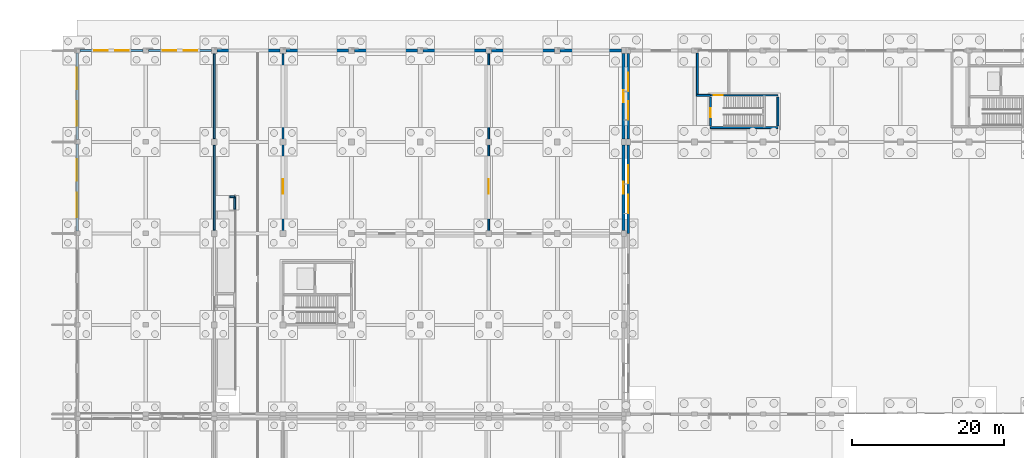
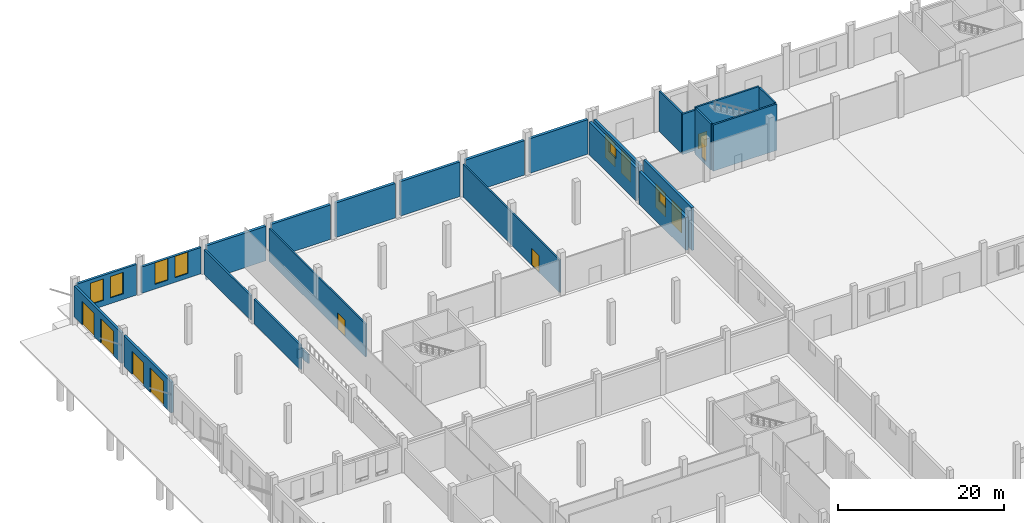
# One storey, part 72 of 99: 26 walls, 10 windows, 8 doors, 18 openings.
"""IFC4 building model written with IfcOpenShell, lengths in metres."""

from ifc_helpers import new_model, si_unit, direction, frame, frame_2d, origin, place, context, subcontext, project, spatial, rectangle, extrude, material, layer, layer_set, type_object, element, fill, save


model = new_model("IFC4")

# Units and contexts
model_context = context("Model", 3, precision=1e-05, world=origin(), true_north=direction((0.0, 1.0)))
body_context = subcontext(model_context, "Body", "Model", "MODEL_VIEW")
ifc_project = project(units=[si_unit("LENGTHUNIT", "METRE"), si_unit("AREAUNIT", "SQUARE_METRE"), si_unit("VOLUMEUNIT", "CUBIC_METRE"), si_unit("PLANEANGLEUNIT", "RADIAN"), si_unit("MASSUNIT", "GRAM", prefix="KILO")], contexts=[model_context])

# Site, building, storey
site_placement = place(None, origin())
site = spatial("IfcSite", under=ifc_project, at=site_placement, CompositionType="ELEMENT")
building_placement = place(site_placement, origin())
building = spatial("IfcBuilding", under=site, at=building_placement, Name="Zacnel Wholesale Market", CompositionType="ELEMENT")
storey_placement = place(building_placement, origin())
storey = spatial("IfcBuildingStorey", under=building, at=storey_placement, Name="L01", CompositionType="ELEMENT", Elevation=0.0)

# Wall, opening, door
ifc_material_1 = material(Name="PIR insulated cold-store panel")
ifc_layer_1 = layer(ifc_material_1, 0.2099609375)
ifc_layer_set_1 = layer_set([ifc_layer_1], Name="PIR insulated cold-store panel")
wall_type_1 = type_object("IfcWallType", Name="WL-COLD-INT210", PredefinedType="STANDARD", material=ifc_layer_set_1)
wall_1_placement = place(storey_placement, frame((27.0, 120.300048828125, 0.0), z_axis=(0.0, 0.0, 1.0), x_axis=(0.0, 1.0, 0.0)))
wall_1 = element("IfcWall", 1, at=wall_1_placement, inside=storey, type_object=wall_type_1, Name="Interior partition L01-0011", PredefinedType="STANDARD", context=body_context, shape_type="SweptSolid", body=[
    extrude(rectangle(XDim=23.25, YDim=0.2099609375, at=frame_2d((11.625, 0.0))), origin(), (0.0, 0.0, 1.0), 4.830078125),
])
opening_1_placement = place(wall_1_placement, frame((4.919921875, 0.0, 0.0)))
opening_1 = element("IfcOpeningElement", 2, at=opening_1_placement, cuts=wall_1, Name="Opening CD-03", PredefinedType="OPENING", context=body_context, shape_type="SweptSolid", body=[
    extrude(rectangle(XDim=1.860107421875, YDim=2.449951171875, at=frame_2d((0.93017578125, 1.22509765625))), frame((0.0, 0.114990234375, 0.0), z_axis=(0.0, -1.0, 0.0), x_axis=(1.0, 0.0, 0.0)), (0.0, 0.0, 1.0), 0.22998046875),
])
ifc_material_2 = material(Name="Galvanized steel", Category="steel")
door_type_1 = type_object("IfcDoorType", Name="DR-COLD-SLIDE-1860", OperationType="NOTDEFINED", PredefinedType="DOOR", material=ifc_material_2)
door_1_placement = place(opening_1_placement, origin())
door_1 = element("IfcDoor", 3, at=door_1_placement, inside=storey, type_object=door_type_1, Name="Interior door L01-0011", OperationType="SLIDING_TO_LEFT", OverallHeight=2.449951171875, OverallWidth=1.860107421875, PredefinedType="DOOR", context=body_context, shape_type="SweptSolid", body=[
    extrude(rectangle(XDim=1.860107421875, YDim=2.449951171875, at=frame_2d((0.93017578125, 1.22509765625))), frame((0.0, 0.02490234375, 0.0), z_axis=(0.0, -1.0, 0.0), x_axis=(1.0, 0.0, 0.0)), (0.0, 0.0, 1.0), 0.050048828125),
])
fill(opening_1, door_1)

wall_2_placement = place(storey_placement, frame((54.0, 120.300048828125, 0.0), z_axis=(0.0, 0.0, 1.0), x_axis=(0.0, 1.0, 0.0)))
wall_2 = element("IfcWall", 4, at=wall_2_placement, inside=storey, type_object=wall_type_1, Name="Interior partition L01-0023", PredefinedType="STANDARD", context=body_context, shape_type="SweptSolid", body=[
    extrude(rectangle(XDim=23.25, YDim=0.2099609375, at=frame_2d((11.625, 0.0))), origin(), (0.0, 0.0, 1.0), 4.830078125),
])
opening_2_placement = place(wall_2_placement, frame((4.919921875, 0.0, 0.0)))
opening_2 = element("IfcOpeningElement", 5, at=opening_2_placement, cuts=wall_2, Name="Opening CD-03", PredefinedType="OPENING", context=body_context, shape_type="SweptSolid", body=[
    extrude(rectangle(XDim=1.860107421875, YDim=2.449951171875, at=frame_2d((0.93017578125, 1.22509765625))), frame((0.0, 0.114990234375, 0.0), z_axis=(0.0, -1.0, 0.0), x_axis=(1.0, 0.0, 0.0)), (0.0, 0.0, 1.0), 0.22998046875),
])
door_2_placement = place(opening_2_placement, origin())
door_2 = element("IfcDoor", 6, at=door_2_placement, inside=storey, type_object=door_type_1, Name="Interior door L01-0019", OperationType="SLIDING_TO_LEFT", OverallHeight=2.449951171875, OverallWidth=1.860107421875, PredefinedType="DOOR", context=body_context, shape_type="SweptSolid", body=[
    extrude(rectangle(XDim=1.860107421875, YDim=2.449951171875, at=frame_2d((0.93017578125, 1.22509765625))), frame((0.0, 0.02490234375, 0.0), z_axis=(0.0, -1.0, 0.0), x_axis=(1.0, 0.0, 0.0)), (0.0, 0.0, 1.0), 0.050048828125),
])
fill(opening_2, door_2)

# Walls
ifc_material_3 = material(Name="Concrete C40/50", Category="concrete")
ifc_layer_2 = layer(ifc_material_3, 0.2548828125)
ifc_layer_set_2 = layer_set([ifc_layer_2], Name="Concrete C40/50")
wall_type_2 = type_object("IfcWallType", Name="WL-COMP-FW250", PredefinedType="STANDARD", material=ifc_layer_set_2)
for number, where, z_axis, x_axis, name in (
    (7, (18.0, 120.419921875, 1.22509765625), (0.0, 0.0, 1.0), (0.0, 1.0, 0.0), "EI-120 fire compartment barrier wall 13"),
    (8, (18.0, 132.419921875, 1.22509765625), (0.0, 0.0, 1.0), (0.0, 1.0, 0.0), "EI-120 fire compartment barrier wall 14"),
):
    element("IfcWall", number, at=place(storey_placement, frame(where, z_axis=z_axis, x_axis=x_axis)), inside=storey, type_object=wall_type_2, Name=name, PredefinedType="STANDARD", context=body_context, shape_type="SweptSolid", body=[
        extrude(rectangle(XDim=11.16015625, YDim=0.2548828125, at=frame_2d((5.580078125, 0.0))), origin(), (0.0, 0.0, 1.0), 3.60498046875),
    ])
wall_3_placement = place(storey_placement, frame((81.37255859375, 138.25, 0.0), z_axis=(0.0, 0.0, 1.0), x_axis=(0.0, 1.0, 0.0)))
element("IfcWall", 9, at=wall_3_placement, inside=storey, type_object=wall_type_2, Name="Exit passage ST-20 fire barrier wall 1", PredefinedType="STANDARD", context=body_context, shape_type="SweptSolid", body=[
    extrude(rectangle(XDim=5.39990234375, YDim=0.2548828125, at=frame_2d((2.699951171875, 0.0))), origin(), (0.0, 0.0, 1.0), 5.949951171875),
])
wall_4_placement = place(storey_placement, frame((81.2451171875, 138.12255859375, 0.0), z_axis=(0.0, 0.0, 1.0), x_axis=(1.0, 0.0, 0.0)))
element("IfcWall", 10, at=wall_4_placement, inside=storey, type_object=wall_type_2, Name="Exit passage ST-20 fire barrier wall 3", PredefinedType="STANDARD", context=body_context, shape_type="SweptSolid", body=[
    extrude(rectangle(XDim=1.829833984375, YDim=0.2548828125, at=frame_2d((0.9150390625, 0.0))), origin(), (0.0, 0.0, 1.0), 5.949951171875),
])
ifc_material_4 = material(Name="Concrete C40/50", Category="concrete")
ifc_layer_3 = layer(ifc_material_4, 0.25)
ifc_layer_set_3 = layer_set([ifc_layer_3], Name="Concrete C40/50")
wall_type_3 = type_object("IfcWallType", Name="WL-CORE-SW250", PredefinedType="SOLIDWALL", material=ifc_layer_set_3)
wall_5_placement = place(storey_placement, frame((83.074951171875, 133.875, -0.5), z_axis=(0.0, 0.0, 1.0), x_axis=(1.0, 0.0, 0.0)))
element("IfcWall", 11, at=wall_5_placement, inside=storey, type_object=wall_type_3, Name="Stair ST-20 south enclosure wall L01", PredefinedType="SOLIDWALL", context=body_context, shape_type="SweptSolid", body=[
    extrude(rectangle(XDim=8.85009765625, YDim=0.25, at=frame_2d((4.425048828125, 0.0))), origin(), (0.0, 0.0, 1.0), 6.800048828125),
])

# Wall, opening, door
wall_6_placement = place(storey_placement, frame((83.074951171875, 138.125, -0.5), z_axis=(0.0, 0.0, 1.0), x_axis=(1.0, 0.0, 0.0)))
wall_6 = element("IfcWall", 12, at=wall_6_placement, inside=storey, type_object=wall_type_3, Name="Stair ST-20 north enclosure wall L01", PredefinedType="SOLIDWALL", context=body_context, shape_type="SweptSolid", body=[
    extrude(rectangle(XDim=8.85009765625, YDim=0.25, at=frame_2d((4.425048828125, 0.0))), origin(), (0.0, 0.0, 1.0), 6.800048828125),
])
opening_3_placement = place(wall_6_placement, frame((0.425048828125, 0.0, 0.5)))
opening_3 = element("IfcOpeningElement", 13, at=opening_3_placement, cuts=wall_6, Name="Opening FD-01", PredefinedType="OPENING", context=body_context, shape_type="SweptSolid", body=[
    extrude(rectangle(XDim=1.199951171875, YDim=2.199951171875, at=frame_2d((0.60009765625, 1.10009765625))), frame((0.0, 0.135009765625, 0.0), z_axis=(0.0, -1.0, 0.0), x_axis=(1.0, 0.0, 0.0)), (0.0, 0.0, 1.0), 0.27001953125),
])
ifc_material_5 = material(Name="Galvanized steel", Category="steel")
door_type_2 = type_object("IfcDoorType", Name="DR-FIRE-STAIR-1200", OperationType="NOTDEFINED", PredefinedType="DOOR", material=ifc_material_5)
door_3_placement = place(opening_3_placement, origin())
door_3 = element("IfcDoor", 14, at=door_3_placement, inside=storey, type_object=door_type_2, Name="Stair ST-20 exit passage fire door L01", OperationType="SINGLE_SWING_LEFT", OverallHeight=2.199951171875, OverallWidth=1.199951171875, PredefinedType="DOOR", context=body_context, shape_type="SweptSolid", body=[
    extrude(rectangle(XDim=1.199951171875, YDim=2.199951171875, at=frame_2d((0.60009765625, 1.10009765625))), frame((0.0, 0.02490234375, 0.0), z_axis=(0.0, -1.0, 0.0), x_axis=(1.0, 0.0, 0.0)), (0.0, 0.0, 1.0), 0.050048828125),
])
fill(opening_3, door_3)

wall_7_placement = place(storey_placement, frame((83.074951171875, 134.125, -0.5), z_axis=(0.0, 0.0, 1.0), x_axis=(0.0, 1.0, 0.0)))
wall_7 = element("IfcWall", 15, at=wall_7_placement, inside=storey, type_object=wall_type_3, Name="Stair ST-20 west enclosure wall L01", PredefinedType="SOLIDWALL", context=body_context, shape_type="SweptSolid", body=[
    extrude(rectangle(XDim=3.75, YDim=0.25, at=frame_2d((1.875, 0.0))), origin(), (0.0, 0.0, 1.0), 6.800048828125),
])
opening_4_placement = place(wall_7_placement, frame((1.10009765625, 0.0, 0.5)))
opening_4 = element("IfcOpeningElement", 16, at=opening_4_placement, cuts=wall_7, Name="Opening FD-01", PredefinedType="OPENING", context=body_context, shape_type="SweptSolid", body=[
    extrude(rectangle(XDim=1.199951171875, YDim=2.199951171875, at=frame_2d((0.60009765625, 1.10009765625))), frame((0.0, 0.135009765625, 0.0), z_axis=(0.0, -1.0, 0.0), x_axis=(1.0, 0.0, 0.0)), (0.0, 0.0, 1.0), 0.27001953125),
])
door_4_placement = place(opening_4_placement, origin())
door_4 = element("IfcDoor", 17, at=door_4_placement, inside=storey, type_object=door_type_2, Name="Stair ST-20 fire door L01", OperationType="SINGLE_SWING_RIGHT", OverallHeight=2.199951171875, OverallWidth=1.199951171875, PredefinedType="DOOR", context=body_context, shape_type="SweptSolid", body=[
    extrude(rectangle(XDim=1.199951171875, YDim=2.199951171875, at=frame_2d((0.60009765625, 1.10009765625))), frame((0.0, 0.02490234375, 0.0), z_axis=(0.0, -1.0, 0.0), x_axis=(1.0, 0.0, 0.0)), (0.0, 0.0, 1.0), 0.050048828125),
])
fill(opening_4, door_4)

# Walls
wall_8_placement = place(storey_placement, frame((91.925048828125, 134.125, -0.5), z_axis=(0.0, 0.0, 1.0), x_axis=(0.0, 1.0, 0.0)))
element("IfcWall", 18, at=wall_8_placement, inside=storey, type_object=wall_type_3, Name="Stair ST-20 east enclosure wall L01", PredefinedType="SOLIDWALL", context=body_context, shape_type="SweptSolid", body=[
    extrude(rectangle(XDim=3.75, YDim=0.25, at=frame_2d((1.875, 0.0))), origin(), (0.0, 0.0, 1.0), 6.800048828125),
])
wall_9_placement = place(storey_placement, frame((20.64990234375, 123.14990234375, -0.5), z_axis=(0.0, 0.0, 1.0), x_axis=(0.0, 1.0, 0.0)))
element("IfcWall", 19, at=wall_9_placement, inside=storey, type_object=wall_type_3, Name="Accessible ramp RP-01 (RMP-DOCK-N) east plinth wall", PredefinedType="SOLIDWALL", context=body_context, shape_type="SweptSolid", body=[
    extrude(rectangle(XDim=1.650146484375, YDim=0.25, at=frame_2d((0.8251953125, 0.0))), origin(), (0.0, 0.0, 1.0), 1.324951171875),
])
wall_10_placement = place(storey_placement, frame((20.0, 124.800048828125, -0.5), z_axis=(0.0, 0.0, 1.0), x_axis=(1.0, 0.0, 0.0)))
element("IfcWall", 20, at=wall_10_placement, inside=storey, type_object=wall_type_3, Name="Accessible ramp RP-01 (RMP-DOCK-N) north plinth wall", PredefinedType="SOLIDWALL", context=body_context, shape_type="SweptSolid", body=[
    extrude(rectangle(XDim=0.699951171875, YDim=0.25, at=frame_2d((0.35009765625, 0.0))), origin(), (0.0, 0.0, 1.0), 1.324951171875),
])

# Wall, openings, windows
ifc_material_6 = material(Name="Precast concrete C40/50 (insulated sandwich panel)", Category="concrete")
ifc_layer_4 = layer(ifc_material_6, 0.320068359375)
ifc_layer_set_4 = layer_set([ifc_layer_4], Name="Precast concrete C40/50 (insulated sandwich panel)")
wall_type_4 = type_object("IfcWallType", Name="WL-EXT-COLD-320", PredefinedType="SOLIDWALL", material=ifc_layer_set_4)
wall_11_placement = place(storey_placement, frame((0.35009765625, 144.0, 1.22509765625), z_axis=(0.0, 0.0, 1.0), x_axis=(1.0, 0.0, 0.0)))
wall_11 = element("IfcWall", 21, at=wall_11_placement, inside=storey, type_object=wall_type_4, Name="Exterior wall L01-0016", PredefinedType="SOLIDWALL", context=body_context, shape_type="SweptSolid", body=[
    extrude(rectangle(XDim=8.2998046875, YDim=0.320068359375, at=frame_2d((4.14990234375, 0.0))), origin(), (0.0, 0.0, 1.0), 4.514892578125),
])
opening_5_placement = place(wall_11_placement, frame((1.866943359375, 0.0, 0.85009765625)))
opening_5 = element("IfcOpeningElement", 22, at=opening_5_placement, cuts=wall_11, Name="Opening W-03", PredefinedType="OPENING", context=body_context, shape_type="SweptSolid", body=[
    extrude(rectangle(XDim=1.800048828125, YDim=3.14990234375, at=frame_2d((0.89990234375, 1.574951171875))), frame((0.0, 0.169921875, 0.0), z_axis=(0.0, -1.0, 0.0), x_axis=(1.0, 0.0, 0.0)), (0.0, 0.0, 1.0), 0.340087890625),
])
opening_6_placement = place(wall_11_placement, frame((4.633056640625, 0.0, 0.85009765625)))
opening_6 = element("IfcOpeningElement", 23, at=opening_6_placement, cuts=wall_11, Name="Opening W-03", PredefinedType="OPENING", context=body_context, shape_type="SweptSolid", body=[
    extrude(rectangle(XDim=1.800048828125, YDim=3.14990234375, at=frame_2d((0.89990234375, 1.574951171875))), frame((0.0, 0.169921875, 0.0), z_axis=(0.0, -1.0, 0.0), x_axis=(1.0, 0.0, 0.0)), (0.0, 0.0, 1.0), 0.340087890625),
])
ifc_material_7 = material(Name="Laminated hurricane-impact low-E insulated glass", Category="glass")
window_type_1 = type_object("IfcWindowType", Name="WIN-DEC-1800X3150", PartitioningType="DOUBLE_PANEL_VERTICAL", PredefinedType="WINDOW", material=ifc_material_7)
window_1_placement = place(opening_5_placement, origin())
window_1 = element("IfcWindow", 24, at=window_1_placement, inside=storey, type_object=window_type_1, Name="Window L01-0015", OverallHeight=3.14990234375, OverallWidth=1.800048828125, PartitioningType="DOUBLE_PANEL_VERTICAL", PredefinedType="WINDOW", context=body_context, shape_type="SweptSolid", body=[
    extrude(rectangle(XDim=1.800048828125, YDim=3.14990234375, at=frame_2d((0.89990234375, 1.574951171875))), frame((0.0, 0.030029296875, 0.0), z_axis=(0.0, -1.0, 0.0), x_axis=(1.0, 0.0, 0.0)), (0.0, 0.0, 1.0), 0.06005859375),
])
fill(opening_5, window_1)
window_2_placement = place(opening_6_placement, origin())
window_2 = element("IfcWindow", 25, at=window_2_placement, inside=storey, type_object=window_type_1, Name="Window L01-0016", OverallHeight=3.14990234375, OverallWidth=1.800048828125, PartitioningType="DOUBLE_PANEL_VERTICAL", PredefinedType="WINDOW", context=body_context, shape_type="SweptSolid", body=[
    extrude(rectangle(XDim=1.800048828125, YDim=3.14990234375, at=frame_2d((0.89990234375, 1.574951171875))), frame((0.0, 0.030029296875, 0.0), z_axis=(0.0, -1.0, 0.0), x_axis=(1.0, 0.0, 0.0)), (0.0, 0.0, 1.0), 0.06005859375),
])
fill(opening_6, window_2)

wall_12_placement = place(storey_placement, frame((9.35009765625, 144.0, 1.22509765625), z_axis=(0.0, 0.0, 1.0), x_axis=(1.0, 0.0, 0.0)))
wall_12 = element("IfcWall", 26, at=wall_12_placement, inside=storey, type_object=wall_type_4, Name="Exterior wall L01-0017", PredefinedType="SOLIDWALL", context=body_context, shape_type="SweptSolid", body=[
    extrude(rectangle(XDim=8.27490234375, YDim=0.320068359375, at=frame_2d((4.137451171875, 0.0))), origin(), (0.0, 0.0, 1.0), 3.875),
])
opening_7_placement = place(wall_12_placement, frame((1.85791015625, 0.0, 0.68505859375)))
opening_7 = element("IfcOpeningElement", 27, at=opening_7_placement, cuts=wall_12, Name="Opening W-03", PredefinedType="OPENING", context=body_context, shape_type="SweptSolid", body=[
    extrude(rectangle(XDim=1.800048828125, YDim=3.14990234375, at=frame_2d((0.89990234375, 1.574951171875))), frame((0.0, 0.169921875, 0.0), z_axis=(0.0, -1.0, 0.0), x_axis=(1.0, 0.0, 0.0)), (0.0, 0.0, 1.0), 0.340087890625),
])
opening_8_placement = place(wall_12_placement, frame((4.616943359375, 0.0, 0.68505859375)))
opening_8 = element("IfcOpeningElement", 28, at=opening_8_placement, cuts=wall_12, Name="Opening W-03", PredefinedType="OPENING", context=body_context, shape_type="SweptSolid", body=[
    extrude(rectangle(XDim=1.800048828125, YDim=3.14990234375, at=frame_2d((0.89990234375, 1.574951171875))), frame((0.0, 0.169921875, 0.0), z_axis=(0.0, -1.0, 0.0), x_axis=(1.0, 0.0, 0.0)), (0.0, 0.0, 1.0), 0.340087890625),
])
window_3_placement = place(opening_7_placement, origin())
window_3 = element("IfcWindow", 29, at=window_3_placement, inside=storey, type_object=window_type_1, Name="Window L01-0017", OverallHeight=3.14990234375, OverallWidth=1.800048828125, PartitioningType="DOUBLE_PANEL_VERTICAL", PredefinedType="WINDOW", context=body_context, shape_type="SweptSolid", body=[
    extrude(rectangle(XDim=1.800048828125, YDim=3.14990234375, at=frame_2d((0.89990234375, 1.574951171875))), frame((0.0, 0.030029296875, 0.0), z_axis=(0.0, -1.0, 0.0), x_axis=(1.0, 0.0, 0.0)), (0.0, 0.0, 1.0), 0.06005859375),
])
fill(opening_7, window_3)
window_4_placement = place(opening_8_placement, origin())
window_4 = element("IfcWindow", 30, at=window_4_placement, inside=storey, type_object=window_type_1, Name="Window L01-0018", OverallHeight=3.14990234375, OverallWidth=1.800048828125, PartitioningType="DOUBLE_PANEL_VERTICAL", PredefinedType="WINDOW", context=body_context, shape_type="SweptSolid", body=[
    extrude(rectangle(XDim=1.800048828125, YDim=3.14990234375, at=frame_2d((0.89990234375, 1.574951171875))), frame((0.0, 0.030029296875, 0.0), z_axis=(0.0, -1.0, 0.0), x_axis=(1.0, 0.0, 0.0)), (0.0, 0.0, 1.0), 0.06005859375),
])
fill(opening_8, window_4)

# Wall, openings, doors
wall_13_placement = place(storey_placement, frame((0.0, 120.300048828125, 1.22509765625), z_axis=(0.0, 0.0, 1.0), x_axis=(0.0, 1.0, 0.0)))
wall_13 = element("IfcWall", 31, at=wall_13_placement, inside=storey, type_object=wall_type_4, Name="Exterior wall L01-0020", PredefinedType="SOLIDWALL", context=body_context, shape_type="SweptSolid", body=[
    extrude(rectangle(XDim=11.39990234375, YDim=0.320068359375, at=frame_2d((5.699951171875, 0.0))), origin(), (0.0, 0.0, 1.0), 4.514892578125),
])
opening_9_placement = place(wall_13_placement, frame((1.823974609375, 0.0, 0.0)))
opening_9 = element("IfcOpeningElement", 32, at=opening_9_placement, cuts=wall_13, Name="Opening GD-320", PredefinedType="OPENING", context=body_context, shape_type="SweptSolid", body=[
    extrude(rectangle(XDim=3.199951171875, YDim=3.60009765625, at=frame_2d((1.60009765625, 1.800048828125))), frame((0.0, 0.169921875, 0.0), z_axis=(0.0, -1.0, 0.0), x_axis=(1.0, 0.0, 0.0)), (0.0, 0.0, 1.0), 0.340087890625),
])
opening_10_placement = place(wall_13_placement, frame((6.612060546875, 0.0, 0.0)))
opening_10 = element("IfcOpeningElement", 33, at=opening_10_placement, cuts=wall_13, Name="Opening GD-280", PredefinedType="OPENING", context=body_context, shape_type="SweptSolid", body=[
    extrude(rectangle(XDim=2.800048828125, YDim=3.39990234375, at=frame_2d((1.39990234375, 1.699951171875))), frame((0.0, 0.169921875, 0.0), z_axis=(0.0, -1.0, 0.0), x_axis=(1.0, 0.0, 0.0)), (0.0, 0.0, 1.0), 0.340087890625),
])
ifc_material_8 = material(Name="Galvanized steel S355", Category="steel")
door_type_3 = type_object("IfcDoorType", Name="DR-DOCK-ROLL-2800", OperationType="NOTDEFINED", PredefinedType="GATE", material=ifc_material_8)
door_5_placement = place(opening_10_placement, origin())
door_5 = element("IfcDoor", 34, at=door_5_placement, inside=storey, type_object=door_type_3, Name="Loading dock shutter 19", OperationType="ROLLINGUP", OverallHeight=3.39990234375, OverallWidth=2.800048828125, PredefinedType="GATE", context=body_context, shape_type="SweptSolid", body=[
    extrude(rectangle(XDim=2.800048828125, YDim=3.39990234375, at=frame_2d((1.39990234375, 1.699951171875))), frame((0.0, 0.02490234375, 0.0), z_axis=(0.0, -1.0, 0.0), x_axis=(1.0, 0.0, 0.0)), (0.0, 0.0, 1.0), 0.050048828125),
])
fill(opening_10, door_5)
ifc_material_9 = material(Name="Galvanized steel S355", Category="steel")
door_type_4 = type_object("IfcDoorType", Name="DR-DOCK-ROLL-3200", OperationType="NOTDEFINED", PredefinedType="GATE", material=ifc_material_9)
door_6_placement = place(opening_9_placement, origin())
door_6 = element("IfcDoor", 35, at=door_6_placement, inside=storey, type_object=door_type_4, Name="Loading dock shutter 18", OperationType="ROLLINGUP", OverallHeight=3.60009765625, OverallWidth=3.199951171875, PredefinedType="GATE", context=body_context, shape_type="SweptSolid", body=[
    extrude(rectangle(XDim=3.199951171875, YDim=3.60009765625, at=frame_2d((1.60009765625, 1.800048828125))), frame((0.0, 0.02490234375, 0.0), z_axis=(0.0, -1.0, 0.0), x_axis=(1.0, 0.0, 0.0)), (0.0, 0.0, 1.0), 0.050048828125),
])
fill(opening_9, door_6)

wall_14_placement = place(storey_placement, frame((0.0, 132.300048828125, 1.22509765625), z_axis=(0.0, 0.0, 1.0), x_axis=(0.0, 1.0, 0.0)))
wall_14 = element("IfcWall", 36, at=wall_14_placement, inside=storey, type_object=wall_type_4, Name="Exterior wall L01-0021", PredefinedType="SOLIDWALL", context=body_context, shape_type="SweptSolid", body=[
    extrude(rectangle(XDim=11.39990234375, YDim=0.320068359375, at=frame_2d((5.699951171875, 0.0))), origin(), (0.0, 0.0, 1.0), 4.514892578125),
])
opening_11_placement = place(wall_14_placement, frame((1.823974609375, 0.0, 0.0)))
opening_11 = element("IfcOpeningElement", 37, at=opening_11_placement, cuts=wall_14, Name="Opening GD-320", PredefinedType="OPENING", context=body_context, shape_type="SweptSolid", body=[
    extrude(rectangle(XDim=3.199951171875, YDim=3.60009765625, at=frame_2d((1.60009765625, 1.800048828125))), frame((0.0, 0.169921875, 0.0), z_axis=(0.0, -1.0, 0.0), x_axis=(1.0, 0.0, 0.0)), (0.0, 0.0, 1.0), 0.340087890625),
])
opening_12_placement = place(wall_14_placement, frame((6.612060546875, 0.0, 0.0)))
opening_12 = element("IfcOpeningElement", 38, at=opening_12_placement, cuts=wall_14, Name="Opening GD-280", PredefinedType="OPENING", context=body_context, shape_type="SweptSolid", body=[
    extrude(rectangle(XDim=2.800048828125, YDim=3.39990234375, at=frame_2d((1.39990234375, 1.699951171875))), frame((0.0, 0.169921875, 0.0), z_axis=(0.0, -1.0, 0.0), x_axis=(1.0, 0.0, 0.0)), (0.0, 0.0, 1.0), 0.340087890625),
])
door_7_placement = place(opening_12_placement, origin())
door_7 = element("IfcDoor", 39, at=door_7_placement, inside=storey, type_object=door_type_3, Name="Loading dock shutter 21", OperationType="ROLLINGUP", OverallHeight=3.39990234375, OverallWidth=2.800048828125, PredefinedType="GATE", context=body_context, shape_type="SweptSolid", body=[
    extrude(rectangle(XDim=2.800048828125, YDim=3.39990234375, at=frame_2d((1.39990234375, 1.699951171875))), frame((0.0, 0.02490234375, 0.0), z_axis=(0.0, -1.0, 0.0), x_axis=(1.0, 0.0, 0.0)), (0.0, 0.0, 1.0), 0.050048828125),
])
fill(opening_12, door_7)
door_8_placement = place(opening_11_placement, origin())
door_8 = element("IfcDoor", 40, at=door_8_placement, inside=storey, type_object=door_type_4, Name="Loading dock shutter 20", OperationType="ROLLINGUP", OverallHeight=3.60009765625, OverallWidth=3.199951171875, PredefinedType="GATE", context=body_context, shape_type="SweptSolid", body=[
    extrude(rectangle(XDim=3.199951171875, YDim=3.60009765625, at=frame_2d((1.60009765625, 1.800048828125))), frame((0.0, 0.02490234375, 0.0), z_axis=(0.0, -1.0, 0.0), x_axis=(1.0, 0.0, 0.0)), (0.0, 0.0, 1.0), 0.050048828125),
])
fill(opening_11, door_8)

# Walls
ifc_material_10 = material(Name="Precast concrete C40/50 (insulated sandwich panel)", Category="concrete")
ifc_layer_5 = layer(ifc_material_10, 0.3798828125)
ifc_layer_set_5 = layer_set([ifc_layer_5], Name="Precast concrete C40/50 (insulated sandwich panel)")
wall_type_5 = type_object("IfcWallType", Name="WL-EXT-COLD-380", PredefinedType="SOLIDWALL", material=ifc_layer_set_5)
for number, where, z_axis, x_axis, name in (
    (41, (18.375, 144.0, 0.0), (0.0, 0.0, 1.0), (1.0, 0.0, 0.0), "Exterior wall L01-0058"),
    (42, (27.375, 144.0, 0.0), (0.0, 0.0, 1.0), (1.0, 0.0, 0.0), "Exterior wall L01-0059"),
    (43, (36.375, 144.0, 0.0), (0.0, 0.0, 1.0), (1.0, 0.0, 0.0), "Exterior wall L01-0060"),
    (44, (45.375, 144.0, 0.0), (0.0, 0.0, 1.0), (1.0, 0.0, 0.0), "Exterior wall L01-0061"),
    (45, (54.375, 144.0, 0.0), (0.0, 0.0, 1.0), (1.0, 0.0, 0.0), "Exterior wall L01-0062"),
):
    element("IfcWall", number, at=place(storey_placement, frame(where, z_axis=z_axis, x_axis=x_axis)), inside=storey, type_object=wall_type_5, Name=name, PredefinedType="SOLIDWALL", context=body_context, shape_type="SweptSolid", body=[
        extrude(rectangle(XDim=8.25, YDim=0.3798828125, at=frame_2d((4.125, 0.0))), origin(), (0.0, 0.0, 1.0), 5.080078125),
    ])
wall_15_placement = place(storey_placement, frame((63.375, 144.0, 0.0), z_axis=(0.0, 0.0, 1.0), x_axis=(1.0, 0.0, 0.0)))
element("IfcWall", 46, at=wall_15_placement, inside=storey, type_object=wall_type_5, Name="Exterior wall L01-0063", PredefinedType="SOLIDWALL", context=body_context, shape_type="SweptSolid", body=[
    extrude(rectangle(XDim=8.050048828125, YDim=0.3798828125, at=frame_2d((4.02490234375, 0.0))), origin(), (0.0, 0.0, 1.0), 5.080078125),
])

# Wall, opening, window
wall_16_placement = place(storey_placement, frame((71.699951171875, 120.375, 0.0), z_axis=(0.0, 0.0, 1.0), x_axis=(0.0, 1.0, 0.0)))
wall_16 = element("IfcWall", 47, at=wall_16_placement, inside=storey, type_object=wall_type_5, Name="Exterior wall L01-0066", PredefinedType="SOLIDWALL", context=body_context, shape_type="SweptSolid", body=[
    extrude(rectangle(XDim=11.25, YDim=0.3798828125, at=frame_2d((5.625, 0.0))), origin(), (0.0, 0.0, 1.0), 4.830078125),
])
opening_13_placement = place(wall_16_placement, frame((4.824951171875, 0.0, 3.340087890625)))
opening_13 = element("IfcOpeningElement", 48, at=opening_13_placement, cuts=wall_16, Name="Opening W-06", PredefinedType="OPENING", context=body_context, shape_type="SweptSolid", body=[
    extrude(rectangle(XDim=1.60009765625, YDim=1.449951171875, at=frame_2d((0.800048828125, 0.72509765625))), frame((0.0, 0.199951171875, 0.0), z_axis=(0.0, -1.0, 0.0), x_axis=(1.0, 0.0, 0.0)), (0.0, 0.0, 1.0), 0.39990234375),
])
ifc_material_11 = material(Name="Laminated hurricane-impact low-E insulated glass", Category="glass")
window_type_2 = type_object("IfcWindowType", Name="WIN-HIG-1600X1450", PartitioningType="DOUBLE_PANEL_HORIZONTAL", PredefinedType="WINDOW", material=ifc_material_11)
window_5_placement = place(opening_13_placement, origin())
window_5 = element("IfcWindow", 49, at=window_5_placement, inside=storey, type_object=window_type_2, Name="Window L01-0032", OverallHeight=1.449951171875, OverallWidth=1.60009765625, PartitioningType="DOUBLE_PANEL_HORIZONTAL", PredefinedType="WINDOW", context=body_context, shape_type="SweptSolid", body=[
    extrude(rectangle(XDim=1.60009765625, YDim=1.449951171875, at=frame_2d((0.800048828125, 0.72509765625))), frame((0.0, 0.030029296875, 0.0), z_axis=(0.0, -1.0, 0.0), x_axis=(1.0, 0.0, 0.0)), (0.0, 0.0, 1.0), 0.06005859375),
])
fill(opening_13, window_5)

wall_17_placement = place(storey_placement, frame((71.699951171875, 132.375, 0.0), z_axis=(0.0, 0.0, 1.0), x_axis=(0.0, 1.0, 0.0)))
wall_17 = element("IfcWall", 50, at=wall_17_placement, inside=storey, type_object=wall_type_5, Name="Exterior wall L01-0067", PredefinedType="SOLIDWALL", context=body_context, shape_type="SweptSolid", body=[
    extrude(rectangle(XDim=11.25, YDim=0.3798828125, at=frame_2d((5.625, 0.0))), origin(), (0.0, 0.0, 1.0), 4.830078125),
])
opening_14_placement = place(wall_17_placement, frame((4.824951171875, 0.0, 3.340087890625)))
opening_14 = element("IfcOpeningElement", 51, at=opening_14_placement, cuts=wall_17, Name="Opening W-06", PredefinedType="OPENING", context=body_context, shape_type="SweptSolid", body=[
    extrude(rectangle(XDim=1.60009765625, YDim=1.449951171875, at=frame_2d((0.800048828125, 0.72509765625))), frame((0.0, 0.199951171875, 0.0), z_axis=(0.0, -1.0, 0.0), x_axis=(1.0, 0.0, 0.0)), (0.0, 0.0, 1.0), 0.39990234375),
])
window_6_placement = place(opening_14_placement, origin())
window_6 = element("IfcWindow", 52, at=window_6_placement, inside=storey, type_object=window_type_2, Name="Window L01-0033", OverallHeight=1.449951171875, OverallWidth=1.60009765625, PartitioningType="DOUBLE_PANEL_HORIZONTAL", PredefinedType="WINDOW", context=body_context, shape_type="SweptSolid", body=[
    extrude(rectangle(XDim=1.60009765625, YDim=1.449951171875, at=frame_2d((0.800048828125, 0.72509765625))), frame((0.0, 0.030029296875, 0.0), z_axis=(0.0, -1.0, 0.0), x_axis=(1.0, 0.0, 0.0)), (0.0, 0.0, 1.0), 0.06005859375),
])
fill(opening_14, window_6)

# Wall, openings, windows
ifc_material_12 = material(Name="Precast concrete C40/50 (Cancun limestone aggregate)", Category="masonry")
ifc_layer_6 = layer(ifc_material_12, 0.340087890625)
ifc_layer_set_6 = layer_set([ifc_layer_6], Name="Precast concrete C40/50 (Cancun limestone aggregate)")
wall_type_6 = type_object("IfcWallType", Name="WL-EXT-LIME-340", PredefinedType="SOLIDWALL", material=ifc_layer_set_6)
wall_18_placement = place(storey_placement, frame((72.300048828125, 120.0, 0.0), z_axis=(0.0, 0.0, 1.0), x_axis=(0.0, 1.0, 0.0)))
wall_18 = element("IfcWall", 53, at=wall_18_placement, inside=storey, type_object=wall_type_6, Name="Exterior wall L01-0148", PredefinedType="SOLIDWALL", context=body_context, shape_type="SweptSolid", body=[
    extrude(rectangle(XDim=11.625, YDim=0.340087890625, at=frame_2d((5.8125, 0.0))), origin(), (0.0, 0.0, 1.0), 6.300048828125),
])
opening_15_placement = place(wall_18_placement, frame((2.675048828125, 0.0, 0.89990234375)))
opening_15 = element("IfcOpeningElement", 54, at=opening_15_placement, cuts=wall_18, Name="Opening W-01", PredefinedType="OPENING", context=body_context, shape_type="SweptSolid", body=[
    extrude(rectangle(XDim=2.39990234375, YDim=3.5, at=frame_2d((1.199951171875, 1.75))), frame((0.0, 0.179931640625, 0.0), z_axis=(0.0, -1.0, 0.0), x_axis=(1.0, 0.0, 0.0)), (0.0, 0.0, 1.0), 0.360107421875),
])
opening_16_placement = place(wall_18_placement, frame((6.550048828125, 0.0, 0.89990234375)))
opening_16 = element("IfcOpeningElement", 55, at=opening_16_placement, cuts=wall_18, Name="Opening W-01", PredefinedType="OPENING", context=body_context, shape_type="SweptSolid", body=[
    extrude(rectangle(XDim=2.39990234375, YDim=3.5, at=frame_2d((1.199951171875, 1.75))), frame((0.0, 0.179931640625, 0.0), z_axis=(0.0, -1.0, 0.0), x_axis=(1.0, 0.0, 0.0)), (0.0, 0.0, 1.0), 0.360107421875),
])
ifc_material_13 = material(Name="Laminated hurricane-impact low-E insulated glass", Category="glass")
window_type_3 = type_object("IfcWindowType", Name="WIN-DEC-2400X3500", PartitioningType="TRIPLE_PANEL_VERTICAL", PredefinedType="WINDOW", material=ifc_material_13)
window_7_placement = place(opening_15_placement, origin())
window_7 = element("IfcWindow", 56, at=window_7_placement, inside=storey, type_object=window_type_3, Name="Window L01-0150", OverallHeight=3.5, OverallWidth=2.39990234375, PartitioningType="TRIPLE_PANEL_VERTICAL", PredefinedType="WINDOW", context=body_context, shape_type="SweptSolid", body=[
    extrude(rectangle(XDim=2.39990234375, YDim=3.5, at=frame_2d((1.199951171875, 1.75))), frame((0.0, 0.030029296875, 0.0), z_axis=(0.0, -1.0, 0.0), x_axis=(1.0, 0.0, 0.0)), (0.0, 0.0, 1.0), 0.06005859375),
])
fill(opening_15, window_7)
window_8_placement = place(opening_16_placement, origin())
window_8 = element("IfcWindow", 57, at=window_8_placement, inside=storey, type_object=window_type_3, Name="Window L01-0151", OverallHeight=3.5, OverallWidth=2.39990234375, PartitioningType="TRIPLE_PANEL_VERTICAL", PredefinedType="WINDOW", context=body_context, shape_type="SweptSolid", body=[
    extrude(rectangle(XDim=2.39990234375, YDim=3.5, at=frame_2d((1.199951171875, 1.75))), frame((0.0, 0.030029296875, 0.0), z_axis=(0.0, -1.0, 0.0), x_axis=(1.0, 0.0, 0.0)), (0.0, 0.0, 1.0), 0.06005859375),
])
fill(opening_16, window_8)

wall_19_placement = place(storey_placement, frame((72.300048828125, 132.375, 0.0), z_axis=(0.0, 0.0, 1.0), x_axis=(0.0, 1.0, 0.0)))
wall_19 = element("IfcWall", 58, at=wall_19_placement, inside=storey, type_object=wall_type_6, Name="Exterior wall L01-0149", PredefinedType="SOLIDWALL", context=body_context, shape_type="SweptSolid", body=[
    extrude(rectangle(XDim=11.25, YDim=0.340087890625, at=frame_2d((5.625, 0.0))), origin(), (0.0, 0.0, 1.0), 4.969970703125),
])
opening_17_placement = place(wall_19_placement, frame((2.550048828125, 0.0, 0.89990234375)))
opening_17 = element("IfcOpeningElement", 59, at=opening_17_placement, cuts=wall_19, Name="Opening W-01", PredefinedType="OPENING", context=body_context, shape_type="SweptSolid", body=[
    extrude(rectangle(XDim=2.39990234375, YDim=3.5, at=frame_2d((1.199951171875, 1.75))), frame((0.0, 0.179931640625, 0.0), z_axis=(0.0, -1.0, 0.0), x_axis=(1.0, 0.0, 0.0)), (0.0, 0.0, 1.0), 0.360107421875),
])
opening_18_placement = place(wall_19_placement, frame((6.300048828125, 0.0, 0.89990234375)))
opening_18 = element("IfcOpeningElement", 60, at=opening_18_placement, cuts=wall_19, Name="Opening W-01", PredefinedType="OPENING", context=body_context, shape_type="SweptSolid", body=[
    extrude(rectangle(XDim=2.39990234375, YDim=3.5, at=frame_2d((1.199951171875, 1.75))), frame((0.0, 0.179931640625, 0.0), z_axis=(0.0, -1.0, 0.0), x_axis=(1.0, 0.0, 0.0)), (0.0, 0.0, 1.0), 0.360107421875),
])
window_9_placement = place(opening_17_placement, origin())
window_9 = element("IfcWindow", 61, at=window_9_placement, inside=storey, type_object=window_type_3, Name="Window L01-0152", OverallHeight=3.5, OverallWidth=2.39990234375, PartitioningType="TRIPLE_PANEL_VERTICAL", PredefinedType="WINDOW", context=body_context, shape_type="SweptSolid", body=[
    extrude(rectangle(XDim=2.39990234375, YDim=3.5, at=frame_2d((1.199951171875, 1.75))), frame((0.0, 0.030029296875, 0.0), z_axis=(0.0, -1.0, 0.0), x_axis=(1.0, 0.0, 0.0)), (0.0, 0.0, 1.0), 0.06005859375),
])
fill(opening_17, window_9)
window_10_placement = place(opening_18_placement, origin())
window_10 = element("IfcWindow", 62, at=window_10_placement, inside=storey, type_object=window_type_3, Name="Window L01-0153", OverallHeight=3.5, OverallWidth=2.39990234375, PartitioningType="TRIPLE_PANEL_VERTICAL", PredefinedType="WINDOW", context=body_context, shape_type="SweptSolid", body=[
    extrude(rectangle(XDim=2.39990234375, YDim=3.5, at=frame_2d((1.199951171875, 1.75))), frame((0.0, 0.030029296875, 0.0), z_axis=(0.0, -1.0, 0.0), x_axis=(1.0, 0.0, 0.0)), (0.0, 0.0, 1.0), 0.06005859375),
])
fill(opening_18, window_10)

save(model, "model.ifc")
